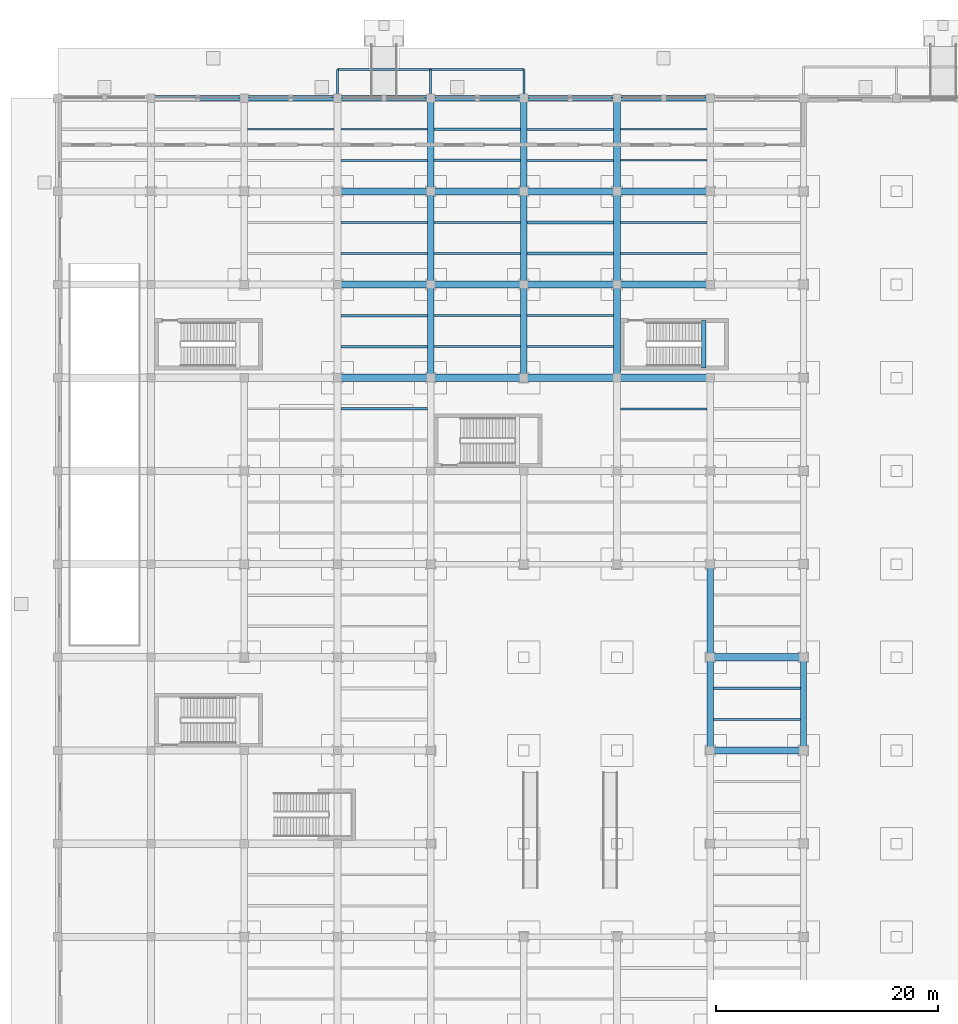
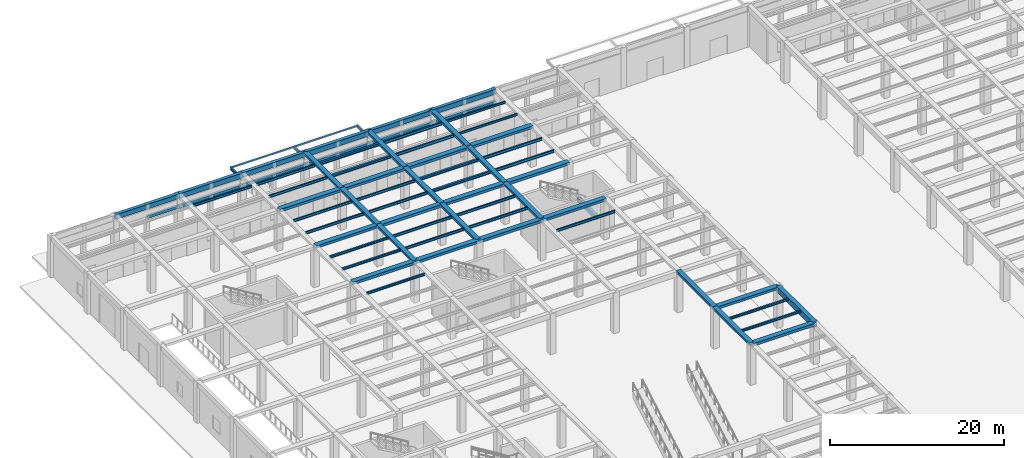
# One storey, part 9 of 43: 74 beams, 2 members.
"""IFC4 building model written with IfcOpenShell, lengths in metres."""

from ifc_helpers import new_model, si_unit, direction, frame, origin, origin_2d, place, context, subcontext, project, spatial, rectangle, hollow_rectangle, i_section, extrude, material, material_profile, profile_set, type_object, element, save


model = new_model("IFC4")

# Units and contexts
model_context = context("Model", 3, precision=1e-05, world=origin(), true_north=direction((0.0, 1.0)))
body_context = subcontext(model_context, "Body", "Model", "MODEL_VIEW")
ifc_project = project(units=[si_unit("LENGTHUNIT", "METRE"), si_unit("AREAUNIT", "SQUARE_METRE"), si_unit("VOLUMEUNIT", "CUBIC_METRE"), si_unit("PLANEANGLEUNIT", "RADIAN"), si_unit("MASSUNIT", "GRAM", prefix="KILO")], contexts=[model_context])

# Site, building, storey
site_placement = place(None, origin())
site = spatial("IfcSite", under=ifc_project, at=site_placement, CompositionType="ELEMENT")
building_placement = place(site_placement, origin())
building = spatial("IfcBuilding", under=site, at=building_placement, Name="Almacenes y Pasaje Nevantli", CompositionType="ELEMENT")
storey_placement = place(building_placement, origin())
storey = spatial("IfcBuildingStorey", under=building, at=storey_placement, Name="L01", CompositionType="ELEMENT", Elevation=0.0)

# Beams
ifc_material_1 = material(Name="Concrete C35/45", Category="concrete")
ifc_material_profile_1 = material_profile(ifc_material_1, rectangle(XDim=0.39990234375, YDim=0.60009765625, at=origin_2d()), Name="RC-BM-400x600")
ifc_profile_set_1 = profile_set([ifc_material_profile_1], Name="Concrete C35/45")
beam_type_1 = type_object("IfcBeamType", Name="BM-RC-400x600", PredefinedType="SPANDREL", material=ifc_profile_set_1)
beam_1_placement = place(storey_placement, frame((58.22998046875, 93.300048828125, 2.5), z_axis=(0.0, 1.0, 0.0), x_axis=(-1.0, 0.0, 0.0)))
element("IfcBeam", 1, at=beam_1_placement, inside=storey, type_object=beam_type_1, Name="L01 Stair ST-05 Half-Landing Support Beam", PredefinedType="SPANDREL", context=body_context, shape_type="SweptSolid", body=[
    extrude(rectangle(XDim=0.39990234375, YDim=0.60009765625, at=origin_2d()), origin(), (0.0, 0.0, 1.0), 4.25),
])
ifc_material_2 = material(Name="Concrete C35/45", Category="concrete")
ifc_material_profile_2 = material_profile(ifc_material_2, rectangle(XDim=0.449951171875, YDim=0.64990234375, at=origin_2d()), Name="RC-BM-450x650")
ifc_profile_set_2 = profile_set([ifc_material_profile_2], Name="Concrete C35/45")
beam_type_2 = type_object("IfcBeamType", Name="BM-RC-450x650", PredefinedType="SPANDREL", material=ifc_profile_set_2)
for number, where, z_axis, x_axis, name in (
    (2, (8.39990234375, 117.60009765625, 5.375), (1.0, 0.0, 0.0), (0.0, 1.0, 0.0), "L01 East-West Reinforced Concrete Beam #1433"),
    (3, (25.199951171875, 117.60009765625, 5.375), (1.0, 0.0, 0.0), (0.0, 1.0, 0.0), "L01 East-West Reinforced Concrete Beam #1435"),
):
    element("IfcBeam", number, at=place(storey_placement, frame(where, z_axis=z_axis, x_axis=x_axis)), inside=storey, type_object=beam_type_2, Name=name, PredefinedType="SPANDREL", context=body_context, shape_type="SweptSolid", body=[
        extrude(rectangle(XDim=0.449951171875, YDim=0.64990234375, at=origin_2d()), origin(), (0.0, 0.0, 1.0), 8.400146484375),
    ])
beam_2_placement = place(storey_placement, frame((42.0, 117.60009765625, 5.375), z_axis=(1.0, 0.0, 0.0), x_axis=(0.0, 1.0, 0.0)))
element("IfcBeam", 4, at=beam_2_placement, inside=storey, type_object=beam_type_2, Name="L01 East-West Reinforced Concrete Beam #1437", PredefinedType="SPANDREL", context=body_context, shape_type="SweptSolid", body=[
    extrude(rectangle(XDim=0.449951171875, YDim=0.64990234375, at=origin_2d()), origin(), (0.0, 0.0, 1.0), 8.39990234375),
])
ifc_material_3 = material(Name="Concrete C35/45", Category="concrete")
ifc_material_profile_3 = material_profile(ifc_material_3, rectangle(XDim=0.449951171875, YDim=0.699951171875, at=origin_2d()), Name="RC-BM-450x700")
ifc_profile_set_3 = profile_set([ifc_material_profile_3], Name="Concrete C35/45")
beam_type_3 = type_object("IfcBeamType", Name="BM-RC-450x700", PredefinedType="SPANDREL", material=ifc_profile_set_3)
for number, where, z_axis, x_axis, name in (
    (5, (16.800048828125, 117.60009765625, 5.35009765625), (1.0, 0.0, 0.0), (0.0, 1.0, 0.0), "L01 East-West Reinforced Concrete Beam #1434"),
    (6, (33.60009765625, 117.60009765625, 5.35009765625), (1.0, 0.0, 0.0), (0.0, 1.0, 0.0), "L01 East-West Reinforced Concrete Beam #1436"),
):
    element("IfcBeam", number, at=place(storey_placement, frame(where, z_axis=z_axis, x_axis=x_axis)), inside=storey, type_object=beam_type_3, Name=name, PredefinedType="SPANDREL", context=body_context, shape_type="SweptSolid", body=[
        extrude(rectangle(XDim=0.449951171875, YDim=0.699951171875, at=origin_2d()), origin(), (0.0, 0.0, 1.0), 8.39990234375),
    ])
beam_3_placement = place(storey_placement, frame((50.39990234375, 117.60009765625, 5.35009765625), z_axis=(1.0, 0.0, 0.0), x_axis=(0.0, 1.0, 0.0)))
element("IfcBeam", 7, at=beam_3_placement, inside=storey, type_object=beam_type_3, Name="L01 East-West Reinforced Concrete Beam #1438", PredefinedType="SPANDREL", context=body_context, shape_type="SweptSolid", body=[
    extrude(rectangle(XDim=0.449951171875, YDim=0.699951171875, at=origin_2d()), origin(), (0.0, 0.0, 1.0), 8.400146484375),
])
ifc_material_4 = material(Name="Concrete C35/45", Category="concrete")
ifc_material_profile_4 = material_profile(ifc_material_4, rectangle(XDim=0.550048828125, YDim=0.800048828125, at=origin_2d()), Name="RC-BM-550x800")
ifc_profile_set_4 = profile_set([ifc_material_profile_4], Name="Concrete C35/45")
beam_type_4 = type_object("IfcBeamType", Name="BM-RC-550x800", PredefinedType="BEAM", material=ifc_profile_set_4)
beam_4_placement = place(storey_placement, frame((67.199951171875, 58.800048828125, 5.300048828125), z_axis=(0.0, 1.0, 0.0), x_axis=(-1.0, 0.0, 0.0)))
element("IfcBeam", 8, at=beam_4_placement, inside=storey, type_object=beam_type_4, Name="L01 North-South Reinforced Concrete Beam #1548", PredefinedType="BEAM", context=body_context, shape_type="SweptSolid", body=[
    extrude(rectangle(XDim=0.550048828125, YDim=0.800048828125, at=origin_2d()), origin(), (0.0, 0.0, 1.0), 8.39990234375),
])
ifc_material_5 = material(Name="Concrete C35/45", Category="concrete")
ifc_material_profile_5 = material_profile(ifc_material_5, rectangle(XDim=0.60009765625, YDim=0.320068359375, at=origin_2d()), Name="RC-BM-600x320")
ifc_profile_set_5 = profile_set([ifc_material_profile_5], Name="Concrete C35/45")
beam_type_5 = type_object("IfcBeamType", Name="BM-RC-600x320", PredefinedType="BEAM", material=ifc_profile_set_5)
for number, where, z_axis, x_axis, name in (
    (9, (33.60009765625, 92.39990234375, 5.5400390625), (0.0, 1.0, 0.0), (-1.0, 0.0, 0.0), "L01 North-South Reinforced Concrete Beam #1507"),
    (10, (33.60009765625, 109.199951171875, 5.5400390625), (0.0, 1.0, 0.0), (-1.0, 0.0, 0.0), "L01 North-South Reinforced Concrete Beam #1509"),
):
    element("IfcBeam", number, at=place(storey_placement, frame(where, z_axis=z_axis, x_axis=x_axis)), inside=storey, type_object=beam_type_5, Name=name, PredefinedType="BEAM", context=body_context, shape_type="SweptSolid", body=[
        extrude(rectangle(XDim=0.60009765625, YDim=0.320068359375, at=origin_2d()), origin(), (0.0, 0.0, 1.0), 8.400146484375),
    ])
beam_5_placement = place(storey_placement, frame((42.0, 100.800048828125, 5.5400390625), z_axis=(0.0, 1.0, 0.0), x_axis=(-1.0, 0.0, 0.0)))
element("IfcBeam", 11, at=beam_5_placement, inside=storey, type_object=beam_type_5, Name="L01 North-South Reinforced Concrete Beam #1517", PredefinedType="BEAM", context=body_context, shape_type="SweptSolid", body=[
    extrude(rectangle(XDim=0.60009765625, YDim=0.320068359375, at=origin_2d()), origin(), (0.0, 0.0, 1.0), 8.39990234375),
])
for number, where, z_axis, x_axis, name in (
    (12, (50.39990234375, 92.39990234375, 5.5400390625), (0.0, 1.0, 0.0), (-1.0, 0.0, 0.0), "L01 North-South Reinforced Concrete Beam #1525"),
    (13, (50.39990234375, 109.199951171875, 5.5400390625), (0.0, 1.0, 0.0), (-1.0, 0.0, 0.0), "L01 North-South Reinforced Concrete Beam #1527"),
    (14, (58.800048828125, 67.199951171875, 5.5400390625), (0.0, 1.0, 0.0), (-1.0, 0.0, 0.0), "L01 North-South Reinforced Concrete Beam #1536"),
):
    element("IfcBeam", number, at=place(storey_placement, frame(where, z_axis=z_axis, x_axis=x_axis)), inside=storey, type_object=beam_type_5, Name=name, PredefinedType="BEAM", context=body_context, shape_type="SweptSolid", body=[
        extrude(rectangle(XDim=0.60009765625, YDim=0.320068359375, at=origin_2d()), origin(), (0.0, 0.0, 1.0), 8.400146484375),
    ])
ifc_material_6 = material(Name="Concrete C35/45", Category="concrete")
ifc_material_profile_6 = material_profile(ifc_material_6, rectangle(XDim=0.60009765625, YDim=0.340087890625, at=origin_2d()), Name="RC-BM-600x340")
ifc_profile_set_6 = profile_set([ifc_material_profile_6], Name="Concrete C35/45")
beam_type_6 = type_object("IfcBeamType", Name="BM-RC-600x340", PredefinedType="BEAM", material=ifc_profile_set_6)
beam_6_placement = place(storey_placement, frame((33.60009765625, 100.800048828125, 5.530029296875), z_axis=(0.0, 1.0, 0.0), x_axis=(-1.0, 0.0, 0.0)))
element("IfcBeam", 15, at=beam_6_placement, inside=storey, type_object=beam_type_6, Name="L01 North-South Reinforced Concrete Beam #1508", PredefinedType="BEAM", context=body_context, shape_type="SweptSolid", body=[
    extrude(rectangle(XDim=0.60009765625, YDim=0.340087890625, at=origin_2d()), origin(), (0.0, 0.0, 1.0), 8.39990234375),
])
for number, where, z_axis, x_axis, name in (
    (16, (42.0, 92.39990234375, 5.530029296875), (0.0, 1.0, 0.0), (-1.0, 0.0, 0.0), "L01 North-South Reinforced Concrete Beam #1516"),
    (17, (42.0, 109.199951171875, 5.530029296875), (0.0, 1.0, 0.0), (-1.0, 0.0, 0.0), "L01 North-South Reinforced Concrete Beam #1518"),
):
    element("IfcBeam", number, at=place(storey_placement, frame(where, z_axis=z_axis, x_axis=x_axis)), inside=storey, type_object=beam_type_6, Name=name, PredefinedType="BEAM", context=body_context, shape_type="SweptSolid", body=[
        extrude(rectangle(XDim=0.60009765625, YDim=0.340087890625, at=origin_2d()), origin(), (0.0, 0.0, 1.0), 8.400146484375),
    ])
for number, where, z_axis, x_axis, name in (
    (18, (50.39990234375, 100.800048828125, 5.530029296875), (0.0, 1.0, 0.0), (-1.0, 0.0, 0.0), "L01 North-South Reinforced Concrete Beam #1526"),
    (19, (58.800048828125, 58.800048828125, 5.530029296875), (0.0, 1.0, 0.0), (-1.0, 0.0, 0.0), "L01 North-South Reinforced Concrete Beam #1535"),
):
    element("IfcBeam", number, at=place(storey_placement, frame(where, z_axis=z_axis, x_axis=x_axis)), inside=storey, type_object=beam_type_6, Name=name, PredefinedType="BEAM", context=body_context, shape_type="SweptSolid", body=[
        extrude(rectangle(XDim=0.60009765625, YDim=0.340087890625, at=origin_2d()), origin(), (0.0, 0.0, 1.0), 8.39990234375),
    ])
ifc_material_7 = material(Name="Concrete C35/45", Category="concrete")
ifc_material_profile_7 = material_profile(ifc_material_7, rectangle(XDim=0.64990234375, YDim=0.35009765625, at=origin_2d()), Name="RC-BM-650x350")
ifc_profile_set_7 = profile_set([ifc_material_profile_7], Name="Concrete C35/45")
beam_type_7 = type_object("IfcBeamType", Name="BM-RC-650x350", PredefinedType="BEAM", material=ifc_profile_set_7)
for number, where, z_axis, x_axis, name in (
    (20, (58.800048828125, 67.199951171875, 5.52490234375), (1.0, 0.0, 0.0), (0.0, 1.0, 0.0), "L01 East-West Reinforced Concrete Beam #1337"),
    (21, (33.60009765625, 92.39990234375, 5.52490234375), (1.0, 0.0, 0.0), (0.0, 1.0, 0.0), "L01 East-West Reinforced Concrete Beam #1385"),
):
    element("IfcBeam", number, at=place(storey_placement, frame(where, z_axis=z_axis, x_axis=x_axis)), inside=storey, type_object=beam_type_7, Name=name, PredefinedType="BEAM", context=body_context, shape_type="SweptSolid", body=[
        extrude(rectangle(XDim=0.64990234375, YDim=0.35009765625, at=origin_2d()), origin(), (0.0, 0.0, 1.0), 8.39990234375),
    ])
for number, where, z_axis, x_axis, name in (
    (22, (50.39990234375, 92.39990234375, 5.52490234375), (1.0, 0.0, 0.0), (0.0, 1.0, 0.0), "L01 East-West Reinforced Concrete Beam #1387"),
    (23, (25.199951171875, 100.800048828125, 5.52490234375), (1.0, 0.0, 0.0), (0.0, 1.0, 0.0), "L01 East-West Reinforced Concrete Beam #1401"),
):
    element("IfcBeam", number, at=place(storey_placement, frame(where, z_axis=z_axis, x_axis=x_axis)), inside=storey, type_object=beam_type_7, Name=name, PredefinedType="BEAM", context=body_context, shape_type="SweptSolid", body=[
        extrude(rectangle(XDim=0.64990234375, YDim=0.35009765625, at=origin_2d()), origin(), (0.0, 0.0, 1.0), 8.400146484375),
    ])
for number, where, z_axis, x_axis, name in (
    (24, (42.0, 100.800048828125, 5.52490234375), (1.0, 0.0, 0.0), (0.0, 1.0, 0.0), "L01 East-West Reinforced Concrete Beam #1403"),
    (25, (33.60009765625, 109.199951171875, 5.52490234375), (1.0, 0.0, 0.0), (0.0, 1.0, 0.0), "L01 East-West Reinforced Concrete Beam #1419"),
):
    element("IfcBeam", number, at=place(storey_placement, frame(where, z_axis=z_axis, x_axis=x_axis)), inside=storey, type_object=beam_type_7, Name=name, PredefinedType="BEAM", context=body_context, shape_type="SweptSolid", body=[
        extrude(rectangle(XDim=0.64990234375, YDim=0.35009765625, at=origin_2d()), origin(), (0.0, 0.0, 1.0), 8.39990234375),
    ])
beam_7_placement = place(storey_placement, frame((50.39990234375, 109.199951171875, 5.52490234375), z_axis=(1.0, 0.0, 0.0), x_axis=(0.0, 1.0, 0.0)))
element("IfcBeam", 26, at=beam_7_placement, inside=storey, type_object=beam_type_7, Name="L01 East-West Reinforced Concrete Beam #1421", PredefinedType="BEAM", context=body_context, shape_type="SweptSolid", body=[
    extrude(rectangle(XDim=0.64990234375, YDim=0.35009765625, at=origin_2d()), origin(), (0.0, 0.0, 1.0), 8.400146484375),
])
ifc_material_8 = material(Name="Concrete C35/45", Category="concrete")
ifc_material_profile_8 = material_profile(ifc_material_8, rectangle(XDim=0.64990234375, YDim=0.3798828125, at=origin_2d()), Name="RC-BM-650x380")
ifc_profile_set_8 = profile_set([ifc_material_profile_8], Name="Concrete C35/45")
beam_type_8 = type_object("IfcBeamType", Name="BM-RC-650x380", PredefinedType="BEAM", material=ifc_profile_set_8)
beam_8_placement = place(storey_placement, frame((58.800048828125, 58.800048828125, 5.510009765625), z_axis=(1.0, 0.0, 0.0), x_axis=(0.0, 1.0, 0.0)))
element("IfcBeam", 27, at=beam_8_placement, inside=storey, type_object=beam_type_8, Name="L01 East-West Reinforced Concrete Beam #1323", PredefinedType="BEAM", context=body_context, shape_type="SweptSolid", body=[
    extrude(rectangle(XDim=0.64990234375, YDim=0.3798828125, at=origin_2d()), origin(), (0.0, 0.0, 1.0), 8.39990234375),
])
beam_9_placement = place(storey_placement, frame((25.199951171875, 92.39990234375, 5.510009765625), z_axis=(1.0, 0.0, 0.0), x_axis=(0.0, 1.0, 0.0)))
element("IfcBeam", 28, at=beam_9_placement, inside=storey, type_object=beam_type_8, Name="L01 East-West Reinforced Concrete Beam #1384", PredefinedType="BEAM", context=body_context, shape_type="SweptSolid", body=[
    extrude(rectangle(XDim=0.64990234375, YDim=0.3798828125, at=origin_2d()), origin(), (0.0, 0.0, 1.0), 8.400146484375),
])
for number, where, z_axis, x_axis, name in (
    (29, (42.0, 92.39990234375, 5.510009765625), (1.0, 0.0, 0.0), (0.0, 1.0, 0.0), "L01 East-West Reinforced Concrete Beam #1386"),
    (30, (33.60009765625, 100.800048828125, 5.510009765625), (1.0, 0.0, 0.0), (0.0, 1.0, 0.0), "L01 East-West Reinforced Concrete Beam #1402"),
):
    element("IfcBeam", number, at=place(storey_placement, frame(where, z_axis=z_axis, x_axis=x_axis)), inside=storey, type_object=beam_type_8, Name=name, PredefinedType="BEAM", context=body_context, shape_type="SweptSolid", body=[
        extrude(rectangle(XDim=0.64990234375, YDim=0.3798828125, at=origin_2d()), origin(), (0.0, 0.0, 1.0), 8.39990234375),
    ])
for number, where, z_axis, x_axis, name in (
    (31, (50.39990234375, 100.800048828125, 5.510009765625), (1.0, 0.0, 0.0), (0.0, 1.0, 0.0), "L01 East-West Reinforced Concrete Beam #1404"),
    (32, (25.199951171875, 109.199951171875, 5.510009765625), (1.0, 0.0, 0.0), (0.0, 1.0, 0.0), "L01 East-West Reinforced Concrete Beam #1418"),
):
    element("IfcBeam", number, at=place(storey_placement, frame(where, z_axis=z_axis, x_axis=x_axis)), inside=storey, type_object=beam_type_8, Name=name, PredefinedType="BEAM", context=body_context, shape_type="SweptSolid", body=[
        extrude(rectangle(XDim=0.64990234375, YDim=0.3798828125, at=origin_2d()), origin(), (0.0, 0.0, 1.0), 8.400146484375),
    ])
beam_10_placement = place(storey_placement, frame((42.0, 109.199951171875, 5.510009765625), z_axis=(1.0, 0.0, 0.0), x_axis=(0.0, 1.0, 0.0)))
element("IfcBeam", 33, at=beam_10_placement, inside=storey, type_object=beam_type_8, Name="L01 East-West Reinforced Concrete Beam #1420", PredefinedType="BEAM", context=body_context, shape_type="SweptSolid", body=[
    extrude(rectangle(XDim=0.64990234375, YDim=0.3798828125, at=origin_2d()), origin(), (0.0, 0.0, 1.0), 8.39990234375),
])
ifc_material_9 = material(Name="Concrete C35/45", Category="concrete")
ifc_material_profile_9 = material_profile(ifc_material_9, rectangle(XDim=0.25, YDim=0.39990234375, at=origin_2d()), Name="RC-LIN-250x400")
ifc_profile_set_9 = profile_set([ifc_material_profile_9], Name="Concrete C35/45")
beam_type_9 = type_object("IfcBeamType", Name="BM-RC-LIN250", PredefinedType="LINTEL", material=ifc_profile_set_9)
for number, where, z_axis, x_axis, name in (
    (34, (12.60009765625, 117.5, 3.89990234375), (1.0, 0.0, 0.0), (0.0, 1.0, 0.0), "L01 Boulevard Portales Architrave Beam 2B"),
    (35, (25.199951171875, 117.5, 3.89990234375), (1.0, 0.0, 0.0), (0.0, 1.0, 0.0), "L01 Boulevard Portales Architrave Beam 4A"),
):
    element("IfcBeam", number, at=place(storey_placement, frame(where, z_axis=z_axis, x_axis=x_axis)), inside=storey, type_object=beam_type_9, Name=name, PredefinedType="LINTEL", context=body_context, shape_type="SweptSolid", body=[
        extrude(rectangle(XDim=0.25, YDim=0.39990234375, at=origin_2d()), origin(), (0.0, 0.0, 1.0), 4.199951171875),
    ])
beam_11_placement = place(storey_placement, frame((29.39990234375, 117.5, 3.89990234375), z_axis=(1.0, 0.0, 0.0), x_axis=(0.0, 1.0, 0.0)))
element("IfcBeam", 36, at=beam_11_placement, inside=storey, type_object=beam_type_9, Name="L01 Boulevard Portales Architrave Beam 4B", PredefinedType="LINTEL", context=body_context, shape_type="SweptSolid", body=[
    extrude(rectangle(XDim=0.25, YDim=0.39990234375, at=origin_2d()), origin(), (0.0, 0.0, 1.0), 4.2001953125),
])
for number, where, z_axis, x_axis, name in (
    (37, (42.0, 117.5, 3.89990234375), (1.0, 0.0, 0.0), (0.0, 1.0, 0.0), "L01 Boulevard Portales Architrave Beam 6A"),
    (38, (46.199951171875, 117.5, 3.89990234375), (1.0, 0.0, 0.0), (0.0, 1.0, 0.0), "L01 Boulevard Portales Architrave Beam 6B"),
):
    element("IfcBeam", number, at=place(storey_placement, frame(where, z_axis=z_axis, x_axis=x_axis)), inside=storey, type_object=beam_type_9, Name=name, PredefinedType="LINTEL", context=body_context, shape_type="SweptSolid", body=[
        extrude(rectangle(XDim=0.25, YDim=0.39990234375, at=origin_2d()), origin(), (0.0, 0.0, 1.0), 4.199951171875),
    ])
ifc_material_10 = material(Name="Concrete C35/45", Category="concrete")
ifc_material_profile_10 = material_profile(ifc_material_10, rectangle(XDim=0.300048828125, YDim=0.449951171875, at=origin_2d()), Name="RC-LIN-300x450")
ifc_profile_set_10 = profile_set([ifc_material_profile_10], Name="Concrete C35/45")
beam_type_10 = type_object("IfcBeamType", Name="BM-RC-LIN300", PredefinedType="LINTEL", material=ifc_profile_set_10)
for number, where, z_axis, x_axis, name in (
    (39, (16.800048828125, 117.5, 3.875), (1.0, 0.0, 0.0), (0.0, 1.0, 0.0), "L01 Boulevard Portales Architrave Beam 3A"),
    (40, (21.0, 117.5, 3.875), (1.0, 0.0, 0.0), (0.0, 1.0, 0.0), "L01 Boulevard Portales Architrave Beam 3B"),
    (41, (33.60009765625, 117.5, 3.875), (1.0, 0.0, 0.0), (0.0, 1.0, 0.0), "L01 Boulevard Portales Architrave Beam 5A"),
    (42, (37.800048828125, 117.5, 3.875), (1.0, 0.0, 0.0), (0.0, 1.0, 0.0), "L01 Boulevard Portales Architrave Beam 5B"),
):
    element("IfcBeam", number, at=place(storey_placement, frame(where, z_axis=z_axis, x_axis=x_axis)), inside=storey, type_object=beam_type_10, Name=name, PredefinedType="LINTEL", context=body_context, shape_type="SweptSolid", body=[
        extrude(rectangle(XDim=0.300048828125, YDim=0.449951171875, at=origin_2d()), origin(), (0.0, 0.0, 1.0), 4.199951171875),
    ])
beam_12_placement = place(storey_placement, frame((50.39990234375, 117.5, 3.875), z_axis=(1.0, 0.0, 0.0), x_axis=(0.0, 1.0, 0.0)))
element("IfcBeam", 43, at=beam_12_placement, inside=storey, type_object=beam_type_10, Name="L01 Boulevard Portales Architrave Beam 7A", PredefinedType="LINTEL", context=body_context, shape_type="SweptSolid", body=[
    extrude(rectangle(XDim=0.300048828125, YDim=0.449951171875, at=origin_2d()), origin(), (0.0, 0.0, 1.0), 4.2001953125),
])
beam_13_placement = place(storey_placement, frame((54.60009765625, 117.5, 3.875), z_axis=(1.0, 0.0, 0.0), x_axis=(0.0, 1.0, 0.0)))
element("IfcBeam", 44, at=beam_13_placement, inside=storey, type_object=beam_type_10, Name="L01 Boulevard Portales Architrave Beam 7B", PredefinedType="LINTEL", context=body_context, shape_type="SweptSolid", body=[
    extrude(rectangle(XDim=0.300048828125, YDim=0.449951171875, at=origin_2d()), origin(), (0.0, 0.0, 1.0), 4.199951171875),
])
ifc_material_11 = material(Name="Steel ASTM A992", Category="steel")
ifc_material_profile_11 = material_profile(ifc_material_11, i_section(OverallWidth=0.1650390625, OverallDepth=0.306884765625, WebThickness=0.006591796875, FlangeThickness=0.01025390625, at=origin_2d()), Name="IR 305x44.6")
ifc_profile_set_11 = profile_set([ifc_material_profile_11], Name="Steel ASTM A992")
beam_type_11 = type_object("IfcBeamType", Name="BM-STL-IR-305x44p6", PredefinedType="JOIST", material=ifc_profile_set_11)
for number, where, z_axis, x_axis, name in (
    (45, (50.699951171875, 112.0, 5.53857421875), (1.0, 0.0, 0.0), (0.0, 1.0, 0.0), "L01 Secondary Steel Floor Joist #91"),
    (46, (50.699951171875, 114.800048828125, 5.53857421875), (1.0, 0.0, 0.0), (0.0, 1.0, 0.0), "L01 Secondary Steel Floor Joist #92"),
):
    element("IfcBeam", number, at=place(storey_placement, frame(where, z_axis=z_axis, x_axis=x_axis)), inside=storey, type_object=beam_type_11, Name=name, PredefinedType="JOIST", context=body_context, shape_type="SweptSolid", body=[
        extrude(i_section(OverallWidth=0.1650390625, OverallDepth=0.306884765625, WebThickness=0.006591796875, FlangeThickness=0.01025390625, at=origin_2d()), origin(), (0.0, 0.0, 1.0), 7.800048828125),
    ])
ifc_material_12 = material(Name="Steel ASTM A992", Category="steel")
ifc_material_profile_12 = material_profile(ifc_material_12, i_section(OverallWidth=0.202880859375, OverallDepth=0.304931640625, WebThickness=0.007568359375, FlangeThickness=0.01318359375, at=origin_2d()), Name="IR 305x59.5")
ifc_profile_set_12 = profile_set([ifc_material_profile_12], Name="Steel ASTM A992")
beam_type_12 = type_object("IfcBeamType", Name="BM-STL-IR-305x59p5", PredefinedType="JOIST", material=ifc_profile_set_12)
beam_14_placement = place(storey_placement, frame((25.5, 89.60009765625, 5.53955078125), z_axis=(1.0, 0.0, 0.0), x_axis=(0.0, 1.0, 0.0)))
element("IfcBeam", 47, at=beam_14_placement, inside=storey, type_object=beam_type_12, Name="L01 Secondary Steel Floor Joist #38", PredefinedType="JOIST", context=body_context, shape_type="SweptSolid", body=[
    extrude(i_section(OverallWidth=0.202880859375, OverallDepth=0.304931640625, WebThickness=0.007568359375, FlangeThickness=0.01318359375, at=origin_2d()), origin(), (0.0, 0.0, 1.0), 7.800048828125),
])
ifc_material_13 = material(Name="Steel ASTM A992", Category="steel")
ifc_material_profile_13 = material_profile(ifc_material_13, i_section(OverallWidth=0.205078125, OverallDepth=0.31005859375, WebThickness=0.009521484375, FlangeThickness=0.016357421875, at=origin_2d()), Name="IR 305x74.4")
ifc_profile_set_13 = profile_set([ifc_material_profile_13], Name="Steel ASTM A992")
beam_type_13 = type_object("IfcBeamType", Name="BM-STL-IR-305x74p4", PredefinedType="JOIST", material=ifc_profile_set_13)
for number, where, z_axis, x_axis, name in (
    (48, (25.5, 95.199951171875, 5.537109375), (1.0, 0.0, 0.0), (0.0, 1.0, 0.0), "L01 Secondary Steel Floor Joist #39"),
    (49, (25.5, 98.0, 5.537109375), (1.0, 0.0, 0.0), (0.0, 1.0, 0.0), "L01 Secondary Steel Floor Joist #40"),
):
    element("IfcBeam", number, at=place(storey_placement, frame(where, z_axis=z_axis, x_axis=x_axis)), inside=storey, type_object=beam_type_13, Name=name, PredefinedType="JOIST", context=body_context, shape_type="SweptSolid", body=[
        extrude(i_section(OverallWidth=0.205078125, OverallDepth=0.31005859375, WebThickness=0.009521484375, FlangeThickness=0.016357421875, at=origin_2d()), origin(), (0.0, 0.0, 1.0), 7.800048828125),
    ])
for number, where, z_axis, x_axis, name in (
    (50, (59.10009765625, 61.60009765625, 5.537109375), (1.0, 0.0, 0.0), (0.0, 1.0, 0.0), "L01 Secondary Steel Floor Joist #107"),
    (51, (59.10009765625, 64.39990234375, 5.537109375), (1.0, 0.0, 0.0), (0.0, 1.0, 0.0), "L01 Secondary Steel Floor Joist #108"),
):
    element("IfcBeam", number, at=place(storey_placement, frame(where, z_axis=z_axis, x_axis=x_axis)), inside=storey, type_object=beam_type_13, Name=name, PredefinedType="JOIST", context=body_context, shape_type="SweptSolid", body=[
        extrude(i_section(OverallWidth=0.205078125, OverallDepth=0.31005859375, WebThickness=0.009521484375, FlangeThickness=0.016357421875, at=origin_2d()), origin(), (0.0, 0.0, 1.0), 7.824951171875),
    ])
ifc_material_14 = material(Name="Steel ASTM A992", Category="steel")
ifc_material_profile_14 = material_profile(ifc_material_14, i_section(OverallWidth=0.173095703125, OverallDepth=0.35302734375, WebThickness=0.0078125, FlangeThickness=0.01318359375, at=origin_2d()), Name="IR 356x56.6")
ifc_profile_set_14 = profile_set([ifc_material_profile_14], Name="Steel ASTM A992")
beam_type_14 = type_object("IfcBeamType", Name="BM-STL-IR-356x56p6", PredefinedType="JOIST", material=ifc_profile_set_14)
beam_15_placement = place(storey_placement, frame((17.10009765625, 114.800048828125, 5.515380859375), z_axis=(1.0, 0.0, 0.0), x_axis=(0.0, 1.0, 0.0)))
element("IfcBeam", 52, at=beam_15_placement, inside=storey, type_object=beam_type_14, Name="L01 Secondary Steel Floor Joist #20", PredefinedType="JOIST", context=body_context, shape_type="SweptSolid", body=[
    extrude(i_section(OverallWidth=0.173095703125, OverallDepth=0.35302734375, WebThickness=0.0078125, FlangeThickness=0.01318359375, at=origin_2d()), origin(), (0.0, 0.0, 1.0), 7.7998046875),
])
for number, where, z_axis, x_axis, name in (
    (53, (25.5, 103.60009765625, 5.515380859375), (1.0, 0.0, 0.0), (0.0, 1.0, 0.0), "L01 Secondary Steel Floor Joist #41"),
    (54, (25.5, 106.39990234375, 5.515380859375), (1.0, 0.0, 0.0), (0.0, 1.0, 0.0), "L01 Secondary Steel Floor Joist #42"),
    (55, (33.89990234375, 95.199951171875, 5.515380859375), (1.0, 0.0, 0.0), (0.0, 1.0, 0.0), "L01 Secondary Steel Floor Joist #55"),
    (56, (33.89990234375, 98.0, 5.515380859375), (1.0, 0.0, 0.0), (0.0, 1.0, 0.0), "L01 Secondary Steel Floor Joist #56"),
):
    element("IfcBeam", number, at=place(storey_placement, frame(where, z_axis=z_axis, x_axis=x_axis)), inside=storey, type_object=beam_type_14, Name=name, PredefinedType="JOIST", context=body_context, shape_type="SweptSolid", body=[
        extrude(i_section(OverallWidth=0.173095703125, OverallDepth=0.35302734375, WebThickness=0.0078125, FlangeThickness=0.01318359375, at=origin_2d()), origin(), (0.0, 0.0, 1.0), 7.800048828125),
    ])
ifc_material_15 = material(Name="Steel ASTM A992", Category="steel")
ifc_material_profile_15 = material_profile(ifc_material_15, i_section(OverallWidth=0.173095703125, OverallDepth=0.364013671875, WebThickness=0.009033203125, FlangeThickness=0.015625, at=origin_2d()), Name="IR 356x67.0")
ifc_profile_set_15 = profile_set([ifc_material_profile_15], Name="Steel ASTM A992")
beam_type_15 = type_object("IfcBeamType", Name="BM-STL-IR-356x67p0", PredefinedType="JOIST", material=ifc_profile_set_15)
for number, where, z_axis, x_axis, name in (
    (57, (25.5, 112.0, 5.510009765625), (1.0, 0.0, 0.0), (0.0, 1.0, 0.0), "L01 Secondary Steel Floor Joist #43"),
    (58, (25.5, 114.800048828125, 5.510009765625), (1.0, 0.0, 0.0), (0.0, 1.0, 0.0), "L01 Secondary Steel Floor Joist #44"),
    (59, (33.89990234375, 103.60009765625, 5.510009765625), (1.0, 0.0, 0.0), (0.0, 1.0, 0.0), "L01 Secondary Steel Floor Joist #57"),
    (60, (33.89990234375, 106.39990234375, 5.510009765625), (1.0, 0.0, 0.0), (0.0, 1.0, 0.0), "L01 Secondary Steel Floor Joist #58"),
    (61, (42.300048828125, 95.199951171875, 5.510009765625), (1.0, 0.0, 0.0), (0.0, 1.0, 0.0), "L01 Secondary Steel Floor Joist #71"),
    (62, (42.300048828125, 98.0, 5.510009765625), (1.0, 0.0, 0.0), (0.0, 1.0, 0.0), "L01 Secondary Steel Floor Joist #72"),
    (63, (50.699951171875, 89.60009765625, 5.510009765625), (1.0, 0.0, 0.0), (0.0, 1.0, 0.0), "L01 Secondary Steel Floor Joist #88"),
):
    element("IfcBeam", number, at=place(storey_placement, frame(where, z_axis=z_axis, x_axis=x_axis)), inside=storey, type_object=beam_type_15, Name=name, PredefinedType="JOIST", context=body_context, shape_type="SweptSolid", body=[
        extrude(i_section(OverallWidth=0.173095703125, OverallDepth=0.364013671875, WebThickness=0.009033203125, FlangeThickness=0.015625, at=origin_2d()), origin(), (0.0, 0.0, 1.0), 7.800048828125),
    ])
ifc_material_16 = material(Name="Steel ASTM A992", Category="steel")
ifc_material_profile_16 = material_profile(ifc_material_16, i_section(OverallWidth=0.25390625, OverallDepth=0.35595703125, WebThickness=0.009521484375, FlangeThickness=0.016357421875, at=origin_2d()), Name="IR 356x79.0")
ifc_profile_set_16 = profile_set([ifc_material_profile_16], Name="Steel ASTM A992")
beam_type_16 = type_object("IfcBeamType", Name="BM-STL-IR-356x79p0", PredefinedType="JOIST", material=ifc_profile_set_16)
for number, where, z_axis, x_axis, name in (
    (64, (33.89990234375, 112.0, 5.513916015625), (1.0, 0.0, 0.0), (0.0, 1.0, 0.0), "L01 Secondary Steel Floor Joist #59"),
    (65, (33.89990234375, 114.800048828125, 5.513916015625), (1.0, 0.0, 0.0), (0.0, 1.0, 0.0), "L01 Secondary Steel Floor Joist #60"),
    (66, (42.300048828125, 103.60009765625, 5.513916015625), (1.0, 0.0, 0.0), (0.0, 1.0, 0.0), "L01 Secondary Steel Floor Joist #73"),
    (67, (42.300048828125, 106.39990234375, 5.513916015625), (1.0, 0.0, 0.0), (0.0, 1.0, 0.0), "L01 Secondary Steel Floor Joist #74"),
):
    element("IfcBeam", number, at=place(storey_placement, frame(where, z_axis=z_axis, x_axis=x_axis)), inside=storey, type_object=beam_type_16, Name=name, PredefinedType="JOIST", context=body_context, shape_type="SweptSolid", body=[
        extrude(i_section(OverallWidth=0.25390625, OverallDepth=0.35595703125, WebThickness=0.009521484375, FlangeThickness=0.016357421875, at=origin_2d()), origin(), (0.0, 0.0, 1.0), 7.800048828125),
    ])
ifc_material_17 = material(Name="Steel ASTM A992", Category="steel")
ifc_material_profile_17 = material_profile(ifc_material_17, i_section(OverallWidth=0.178955078125, OverallDepth=0.406005859375, WebThickness=0.0087890625, FlangeThickness=0.014404296875, at=origin_2d()), Name="IR 406x67.0")
ifc_profile_set_17 = profile_set([ifc_material_profile_17], Name="Steel ASTM A992")
beam_type_17 = type_object("IfcBeamType", Name="BM-STL-IR-406x67p0", PredefinedType="JOIST", material=ifc_profile_set_17)
for number, where, z_axis, x_axis, name in (
    (68, (42.300048828125, 112.0, 5.489013671875), (1.0, 0.0, 0.0), (0.0, 1.0, 0.0), "L01 Secondary Steel Floor Joist #75"),
    (69, (42.300048828125, 114.800048828125, 5.489013671875), (1.0, 0.0, 0.0), (0.0, 1.0, 0.0), "L01 Secondary Steel Floor Joist #76"),
    (70, (50.699951171875, 103.60009765625, 5.489013671875), (1.0, 0.0, 0.0), (0.0, 1.0, 0.0), "L01 Secondary Steel Floor Joist #89"),
    (71, (50.699951171875, 106.39990234375, 5.489013671875), (1.0, 0.0, 0.0), (0.0, 1.0, 0.0), "L01 Secondary Steel Floor Joist #90"),
):
    element("IfcBeam", number, at=place(storey_placement, frame(where, z_axis=z_axis, x_axis=x_axis)), inside=storey, type_object=beam_type_17, Name=name, PredefinedType="JOIST", context=body_context, shape_type="SweptSolid", body=[
        extrude(i_section(OverallWidth=0.178955078125, OverallDepth=0.406005859375, WebThickness=0.0087890625, FlangeThickness=0.014404296875, at=origin_2d()), origin(), (0.0, 0.0, 1.0), 7.800048828125),
    ])
ifc_material_18 = material(Name="Steel ASTM A992", Category="steel")
ifc_material_profile_18 = material_profile(ifc_material_18, i_section(OverallWidth=0.180908203125, OverallDepth=0.406005859375, WebThickness=0.010986328125, FlangeThickness=0.018310546875, at=origin_2d()), Name="IR 406x85.0")
ifc_profile_set_18 = profile_set([ifc_material_profile_18], Name="Steel ASTM A992")
beam_type_18 = type_object("IfcBeamType", Name="BM-STL-IR-406x85p0", PredefinedType="BEAM", material=ifc_profile_set_18)
for number, where, z_axis, x_axis, name in (
    (72, (25.199951171875, 117.60009765625, 4.7099609375), (0.0, 1.0, 0.0), (-1.0, 0.0, 0.0), "Canopy Cantilever Steel Outrigger cnp-north-west at X=25.2"),
    (73, (33.60009765625, 117.60009765625, 4.7099609375), (0.0, 1.0, 0.0), (-1.0, 0.0, 0.0), "Canopy Cantilever Steel Outrigger cnp-north-west at X=33.6"),
    (74, (42.0, 117.60009765625, 4.7099609375), (0.0, 1.0, 0.0), (-1.0, 0.0, 0.0), "Canopy Cantilever Steel Outrigger cnp-north-west at X=42.0"),
):
    element("IfcBeam", number, at=place(storey_placement, frame(where, z_axis=z_axis, x_axis=x_axis)), inside=storey, type_object=beam_type_18, Name=name, PredefinedType="BEAM", context=body_context, shape_type="SweptSolid", body=[
        extrude(i_section(OverallWidth=0.180908203125, OverallDepth=0.406005859375, WebThickness=0.010986328125, FlangeThickness=0.018310546875, at=origin_2d()), origin(), (0.0, 0.0, 1.0), 2.599853515625),
    ])

# Members
ifc_material_19 = material(Name="Steel ASTM A500 Grade C", Category="steel")
ifc_material_profile_19 = material_profile(ifc_material_19, hollow_rectangle(XDim=0.177734375, YDim=0.177734375, WallThickness=0.0078125, at=origin_2d()), Name="OR 178x178x7.9")
ifc_profile_set_19 = profile_set([ifc_material_profile_19], Name="Steel ASTM A500 Grade C")
member_type = type_object("IfcMemberType", Name="MBR-PUR-OR178x178", PredefinedType="PURLIN", material=ifc_profile_set_19)
member_1_placement = place(storey_placement, frame((25.199951171875, 120.199951171875, 4.7099609375), z_axis=(1.0, 0.0, 0.0), x_axis=(0.0, 1.0, 0.0)))
element("IfcMember", 75, at=member_1_placement, inside=storey, type_object=member_type, Name="Canopy Fascia Steel Purlin cnp-north-west #1", PredefinedType="PURLIN", context=body_context, shape_type="SweptSolid", body=[
    extrude(hollow_rectangle(XDim=0.177734375, YDim=0.177734375, WallThickness=0.0078125, at=origin_2d()), origin(), (0.0, 0.0, 1.0), 8.400146484375),
])
member_2_placement = place(storey_placement, frame((33.60009765625, 120.199951171875, 4.7099609375), z_axis=(1.0, 0.0, 0.0), x_axis=(0.0, 1.0, 0.0)))
element("IfcMember", 76, at=member_2_placement, inside=storey, type_object=member_type, Name="Canopy Fascia Steel Purlin cnp-north-west #2", PredefinedType="PURLIN", context=body_context, shape_type="SweptSolid", body=[
    extrude(hollow_rectangle(XDim=0.177734375, YDim=0.177734375, WallThickness=0.0078125, at=origin_2d()), origin(), (0.0, 0.0, 1.0), 8.39990234375),
])

save(model, "model.ifc")
